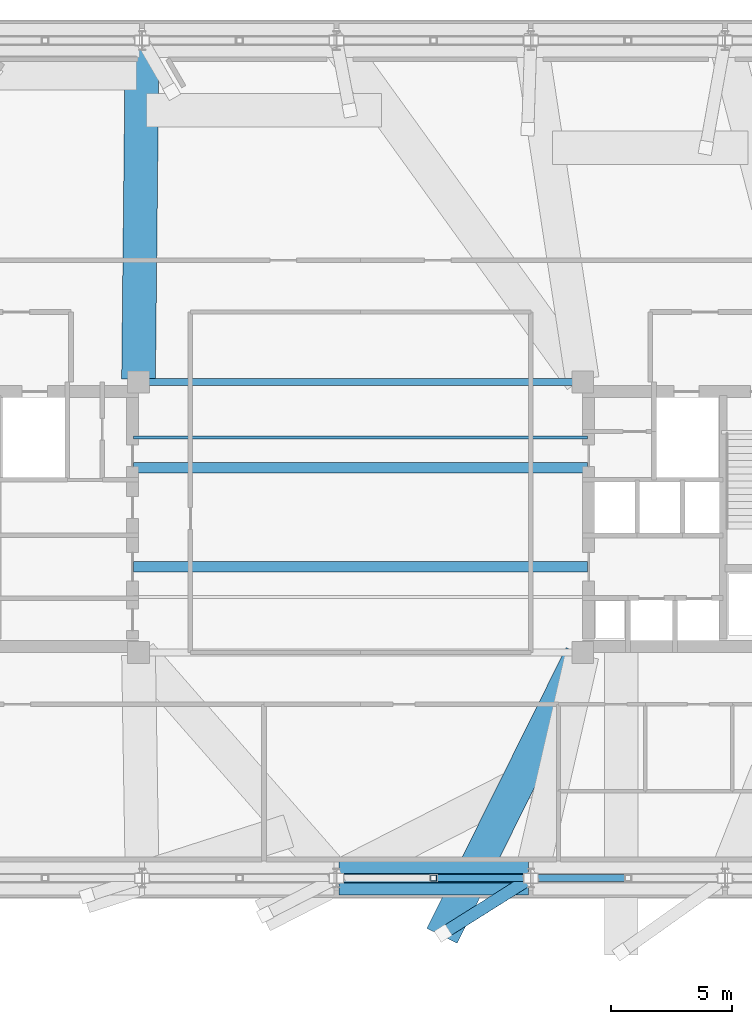
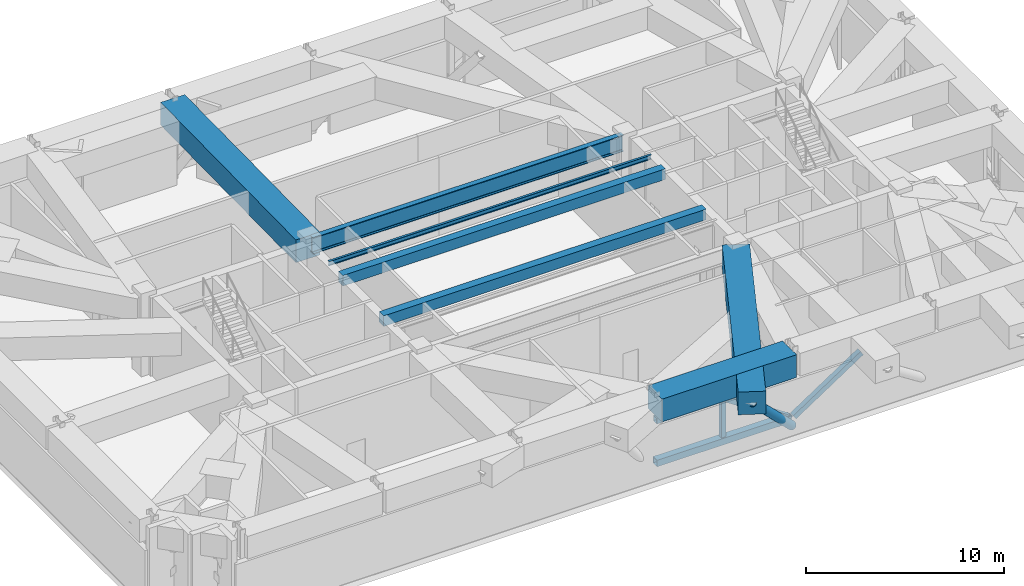
# One storey, part 6 of 18: 7 beams, 6 members.
"""IFC4 building model written with IfcOpenShell, lengths in metres."""

from ifc_helpers import new_model, si_unit, direction, frame, origin, origin_2d, place, context, subcontext, project, spatial, rectangle, hollow_rectangle, hollow_circle, i_section, extrude, material, material_profile, profile_set, type_object, element, save


model = new_model("IFC4")

# Units and contexts
model_context = context("Model", 3, precision=1e-05, world=origin(), true_north=direction((0.0, 1.0)))
body_context = subcontext(model_context, "Body", "Model", "MODEL_VIEW")
ifc_project = project(units=[si_unit("LENGTHUNIT", "METRE"), si_unit("AREAUNIT", "SQUARE_METRE"), si_unit("VOLUMEUNIT", "CUBIC_METRE"), si_unit("PLANEANGLEUNIT", "RADIAN"), si_unit("MASSUNIT", "GRAM", prefix="KILO")], contexts=[model_context])

# Site, building, storey
site_placement = place(None, origin())
site = spatial("IfcSite", under=ifc_project, at=site_placement, CompositionType="ELEMENT")
building_placement = place(site_placement, origin())
building = spatial("IfcBuilding", under=site, at=building_placement, Name="Qobustan Lattice House", CompositionType="ELEMENT")
storey_placement = place(building_placement, frame((0.0, 0.0, 174.550048828125)))
storey = spatial("IfcBuildingStorey", under=building, at=storey_placement, Name="L49", CompositionType="ELEMENT", Elevation=174.550048828125)

# Beams
ifc_material_1 = material(Name="Steel S355", Category="steel")
ifc_material_profile_1 = material_profile(ifc_material_1, i_section(OverallWidth=0.135009765625, OverallDepth=0.27001953125, WebThickness=0.006591796875, FlangeThickness=0.01025390625, FilletRadius=0.014892578125, at=origin_2d()), Name="IPE270")
ifc_profile_set_1 = profile_set([ifc_material_profile_1], Name="Steel S355")
beam_type_1 = type_object("IfcBeamType", Name="BM-JST-IPE270", PredefinedType="JOIST", material=ifc_profile_set_1)
beam_1_placement = place(storey_placement, frame((-9.39990234375, 3.300048828125, 4.68505859375), z_axis=(1.0, 0.0, 0.0), x_axis=(0.0, 1.0, 0.0)))
element("IfcBeam", 1, at=beam_1_placement, inside=storey, type_object=beam_type_1, Name="L49 central span floor joist 2", PredefinedType="JOIST", context=body_context, shape_type="SweptSolid", body=[
    extrude(i_section(OverallWidth=0.135009765625, OverallDepth=0.27001953125, WebThickness=0.006591796875, FlangeThickness=0.01025390625, FilletRadius=0.014892578125, at=origin_2d()), origin(), (0.0, 0.0, 1.0), 18.7998046875),
])
ifc_material_2 = material(Name="Concrete C50/60", Category="concrete")
ifc_material_profile_2 = material_profile(ifc_material_2, rectangle(XDim=0.449951171875, YDim=0.64990234375, at=origin_2d()), Name="RC450x650")
ifc_profile_set_2 = profile_set([ifc_material_profile_2], Name="Concrete C50/60")
beam_type_2 = type_object("IfcBeamType", Name="BM-LINTEL-450x650", PredefinedType="LINTEL", material=ifc_profile_set_2)
for number, where, z_axis, x_axis, name in (
    (2, (-9.39990234375, -2.050048828125, 4.494873046875), (1.0, 0.0, 0.0), (0.0, 1.0, 0.0), "L49 reinforced concrete portal lintel LN-W1"),
    (3, (-9.39990234375, 2.050048828125, 4.494873046875), (1.0, 0.0, 0.0), (0.0, 1.0, 0.0), "L49 reinforced concrete portal lintel LN-E1"),
):
    element("IfcBeam", number, at=place(storey_placement, frame(where, z_axis=z_axis, x_axis=x_axis)), inside=storey, type_object=beam_type_2, Name=name, PredefinedType="LINTEL", context=body_context, shape_type="SweptSolid", body=[
        extrude(rectangle(XDim=0.449951171875, YDim=0.64990234375, at=origin_2d()), origin(), (0.0, 0.0, 1.0), 18.7998046875),
    ])
ifc_material_3 = material(Name="Steel S355", Category="steel")
ifc_material_profile_3 = material_profile(ifc_material_3, i_section(OverallWidth=0.302001953125, OverallDepth=1.008056640625, WebThickness=0.02099609375, FlangeThickness=0.0400390625, FilletRadius=0.030029296875, at=origin_2d()), Name="HEM1000")
ifc_profile_set_3 = profile_set([ifc_material_profile_3], Name="Steel S355")
beam_type_3 = type_object("IfcBeamType", Name="BM-TRG-HEM1000", PredefinedType="USERDEFINED", material=ifc_profile_set_3)
beam_2_placement = place(storey_placement, frame((-9.050048828125, 5.60009765625, 4.31591796875), z_axis=(1.0, 0.0, 0.0), x_axis=(0.0, 1.0, 0.0)))
element("IfcBeam", 4, at=beam_2_placement, inside=storey, type_object=beam_type_3, Name="L49 core spine girder CG-CN", ObjectType="GIRDER", PredefinedType="USERDEFINED", context=body_context, shape_type="SweptSolid", body=[
    extrude(i_section(OverallWidth=0.302001953125, OverallDepth=1.008056640625, WebThickness=0.02099609375, FlangeThickness=0.0400390625, FilletRadius=0.030029296875, at=origin_2d()), origin(), (0.0, 0.0, 1.0), 18.10009765625),
])
ifc_material_4 = material(Name="Concrete C60/75", Category="concrete")
ifc_material_profile_4 = material_profile(ifc_material_4, rectangle(XDim=1.39990234375, YDim=1.39990234375, at=origin_2d()), Name="RC1400x1400")
ifc_profile_set_4 = profile_set([ifc_material_profile_4], Name="Concrete C60/75")
beam_type_4 = type_object("IfcBeamType", Name="BM-TRG-RC1400", PredefinedType="USERDEFINED", material=ifc_profile_set_4)
beam_3_placement = place(storey_placement, frame((-0.89990234375, -14.949951171875, 4.119873046875), z_axis=(1.0, 0.0, 0.0), x_axis=(0.0, 1.0, 0.0)))
element("IfcBeam", 5, at=beam_3_placement, inside=storey, type_object=beam_type_4, Name="L49 TT3 lower perimeter transfer girder S4-S5", ObjectType="GIRDER", PredefinedType="USERDEFINED", context=body_context, shape_type="SweptSolid", body=[
    extrude(rectangle(XDim=1.39990234375, YDim=1.39990234375, at=origin_2d()), origin(), (0.0, 0.0, 1.0), 7.849853515625),
])
beam_4_placement = place(storey_placement, frame((-9.19873046875, 5.719970703125, 4.119873046875), z_axis=(0.010600545201, 0.999943812642, 0.0), x_axis=(-0.999943812642, 0.010600545201, 0.0)))
element("IfcBeam", 6, at=beam_4_placement, inside=storey, type_object=beam_type_4, Name="L49 TT3 radial transfer girder N5", ObjectType="GIRDER", PredefinedType="USERDEFINED", context=body_context, shape_type="SweptSolid", body=[
    extrude(rectangle(XDim=1.39990234375, YDim=1.39990234375, at=origin_2d()), origin(), (0.0, 0.0, 1.0), 13.91064453125),
])
beam_5_placement = place(storey_placement, frame((9.146484375, -5.70751953125, 4.119873046875), z_axis=(-0.444617657371, -0.89572045793, 0.0), x_axis=(0.89572045793, -0.444617657371, 0.0)))
element("IfcBeam", 7, at=beam_5_placement, inside=storey, type_object=beam_type_4, Name="L49 TT3 primary column transfer girder S5", ObjectType="GIRDER", PredefinedType="USERDEFINED", context=body_context, shape_type="SweptSolid", body=[
    extrude(rectangle(XDim=1.39990234375, YDim=1.39990234375, at=origin_2d()), origin(), (0.0, 0.0, 1.0), 12.988037109375),
])

# Members
ifc_material_5 = material(Name="Steel S355", Category="steel")
ifc_material_profile_5 = material_profile(ifc_material_5, hollow_rectangle(XDim=0.300048828125, YDim=0.300048828125, WallThickness=0.01611328125, at=origin_2d()), Name="SHS300x300x16")
ifc_profile_set_5 = profile_set([ifc_material_profile_5], Name="Steel S355")
member_type_1 = type_object("IfcMemberType", Name="MEM-BRC-SHS300", PredefinedType="BRACE", material=ifc_profile_set_5)
for number, where, z_axis, x_axis, name in (
    (8, (3.02490234375, -14.949951171875, 3.139892578125), (0.834676709291, 0.0, -0.550740220946), (0.0, 1.0, 0.0), "L49 TT3 belt truss web diagonal S4-S5 B"),
    (9, (7.14990234375, -14.949951171875, 0.550048828125), (0.834676709291, 0.0, 0.550740220946), (0.0, 1.0, 0.0), "L49 TT3 belt truss web diagonal S5-S6 A"),
):
    element("IfcMember", number, at=place(storey_placement, frame(where, z_axis=z_axis, x_axis=x_axis)), inside=storey, type_object=member_type_1, Name=name, PredefinedType="BRACE", context=body_context, shape_type="SweptSolid", body=[
        extrude(hollow_rectangle(XDim=0.300048828125, YDim=0.300048828125, WallThickness=0.01611328125, at=origin_2d()), origin(), (0.0, 0.0, 1.0), 4.702392578125),
    ])
ifc_material_6 = material(Name="Steel S355", Category="steel")
ifc_material_profile_6 = material_profile(ifc_material_6, hollow_rectangle(XDim=0.35009765625, YDim=0.35009765625, WallThickness=0.01611328125, at=origin_2d()), Name="SHS350x350x16")
ifc_profile_set_6 = profile_set([ifc_material_profile_6], Name="Steel S355")
member_type_2 = type_object("IfcMemberType", Name="MEM-CHD-SHS350", PredefinedType="CHORD", material=ifc_profile_set_6)
member_1_placement = place(storey_placement, frame((-0.89990234375, -14.949951171875, 3.139892578125), z_axis=(1.0, 0.0, 0.0), x_axis=(0.0, 1.0, 0.0)))
element("IfcMember", 10, at=member_1_placement, inside=storey, type_object=member_type_2, Name="L49 TT3 belt truss top chord S4-S5", PredefinedType="CHORD", context=body_context, shape_type="SweptSolid", body=[
    extrude(hollow_rectangle(XDim=0.35009765625, YDim=0.35009765625, WallThickness=0.01611328125, at=origin_2d()), origin(), (0.0, 0.0, 1.0), 7.849853515625),
])
ifc_material_7 = material(Name="Steel S355", Category="steel")
ifc_material_profile_7 = material_profile(ifc_material_7, hollow_rectangle(XDim=0.39990234375, YDim=0.39990234375, WallThickness=0.02001953125, at=origin_2d()), Name="SHS400x400x20")
ifc_profile_set_7 = profile_set([ifc_material_profile_7], Name="Steel S355")
member_type_3 = type_object("IfcMemberType", Name="MEM-CHD-SHS400", PredefinedType="CHORD", material=ifc_profile_set_7)
member_2_placement = place(storey_placement, frame((-0.89990234375, -14.949951171875, 0.550048828125), z_axis=(1.0, 0.0, 0.0), x_axis=(0.0, 1.0, 0.0)))
element("IfcMember", 11, at=member_2_placement, inside=storey, type_object=member_type_3, Name="L49 TT3 belt truss bottom chord S4-S5", PredefinedType="CHORD", context=body_context, shape_type="SweptSolid", body=[
    extrude(hollow_rectangle(XDim=0.39990234375, YDim=0.39990234375, WallThickness=0.02001953125, at=origin_2d()), origin(), (0.0, 0.0, 1.0), 7.849853515625),
])
ifc_material_8 = material(Name="Steel S355", Category="steel")
ifc_material_profile_8 = material_profile(ifc_material_8, hollow_rectangle(XDim=0.25, YDim=0.25, WallThickness=0.012451171875, at=origin_2d()), Name="SHS250x250x12.5")
ifc_profile_set_8 = profile_set([ifc_material_profile_8], Name="Steel S355")
member_type_4 = type_object("IfcMemberType", Name="MEM-PST-SHS250", PredefinedType="POST", material=ifc_profile_set_8)
member_3_placement = place(storey_placement, frame((3.02490234375, -14.949951171875, 0.550048828125), z_axis=(0.0, 0.0, 1.0), x_axis=(1.0, 0.0, 0.0)))
element("IfcMember", 12, at=member_3_placement, inside=storey, type_object=member_type_4, Name="L49 TT3 belt truss vertical post S4-S5", PredefinedType="POST", context=body_context, shape_type="SweptSolid", body=[
    extrude(hollow_rectangle(XDim=0.25, YDim=0.25, WallThickness=0.012451171875, at=origin_2d()), origin(), (0.0, 0.0, 1.0), 2.58984375),
])
ifc_material_9 = material(Name="Steel S355", Category="steel")
ifc_material_profile_9 = material_profile(ifc_material_9, hollow_circle(Radius=0.25390625, WallThickness=0.02001953125, at=origin_2d()), Name="CHS508x20")
ifc_profile_set_9 = profile_set([ifc_material_profile_9], Name="Steel S355")
member_type_5 = type_object("IfcMemberType", Name="MEM-STR-CHS508", PredefinedType="STRUT", material=ifc_profile_set_9)
member_4_placement = place(storey_placement, frame((7.050048828125, -14.949951171875, 0.014892578125), z_axis=(-0.610919057163, -0.38485390595, 0.691856471148), x_axis=(0.533012770357, -0.846107195712, 0.0)))
element("IfcMember", 13, at=member_4_placement, inside=storey, type_object=member_type_5, Name="L49 TT3 column transfer strut S5", PredefinedType="STRUT", context=body_context, shape_type="SweptSolid", body=[
    extrude(hollow_circle(Radius=0.25390625, WallThickness=0.02001953125, at=origin_2d()), origin(), (0.0, 0.0, 1.0), 5.933349609375),
])

save(model, "model.ifc")
